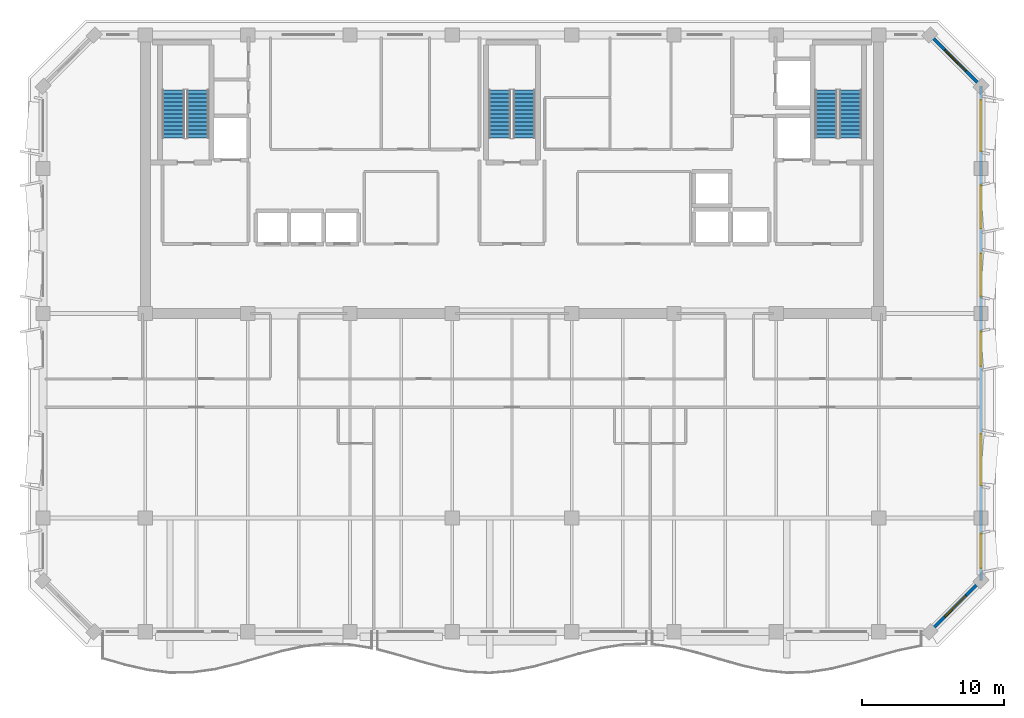
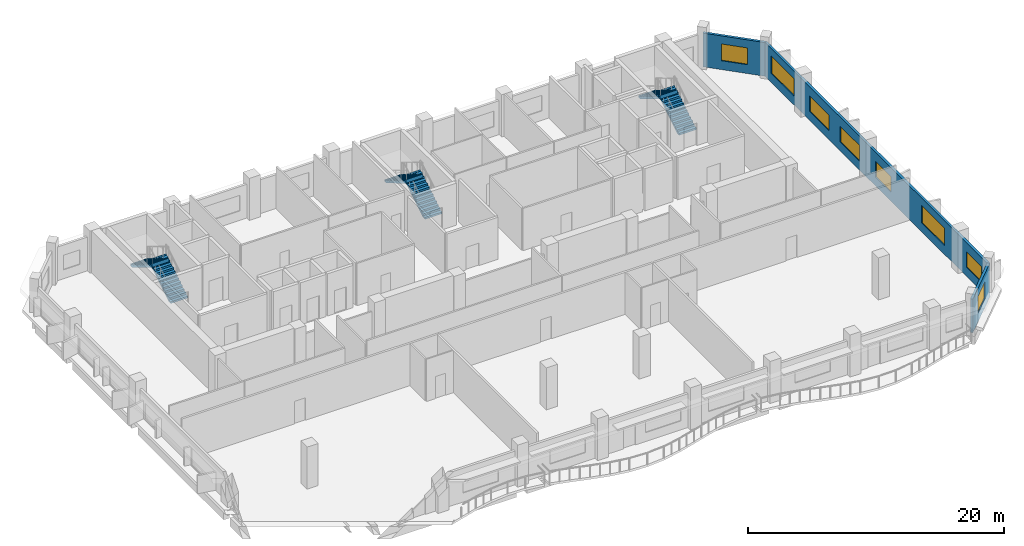
# One storey, part 7 of 10: 8 windows, 6 stair flights, 3 walls, 8 openings, 3 elements without a shape of their own.
"""IFC4 building model written with IfcOpenShell, lengths in metres."""

from ifc_helpers import new_model, si_unit, direction, frame, frame_2d, origin, place, context, subcontext, project, spatial, polyline, rectangle, outline, extrude, material, layer, layer_set, type_object, element, fill, aggregate, save


model = new_model("IFC4")

# Units and contexts
model_context = context("Model", 3, precision=1e-05, world=origin(), true_north=direction((0.0, 1.0)))
body_context = subcontext(model_context, "Body", "Model", "MODEL_VIEW")
ifc_project = project(units=[si_unit("LENGTHUNIT", "METRE"), si_unit("AREAUNIT", "SQUARE_METRE"), si_unit("VOLUMEUNIT", "CUBIC_METRE"), si_unit("PLANEANGLEUNIT", "RADIAN"), si_unit("MASSUNIT", "GRAM", prefix="KILO")], contexts=[model_context])

# Site, building, storey
site_placement = place(None, origin())
site = spatial("IfcSite", under=ifc_project, at=site_placement, CompositionType="ELEMENT")
building_placement = place(site_placement, origin())
building = spatial("IfcBuilding", under=site, at=building_placement, Name="Kaelvorn Grand Hotel", CompositionType="ELEMENT")
storey_placement = place(building_placement, frame((0.0, 0.0, 290.300048828125)))
storey = spatial("IfcBuildingStorey", under=building, at=storey_placement, Name="L71", CompositionType="ELEMENT", Elevation=290.300048828125)

# Wall, opening, window
ifc_material_1 = material(Name="Concrete C40/50", Category="concrete")
ifc_layer = layer(ifc_material_1, 0.219970703125)
ifc_layer_set = layer_set([ifc_layer], Name="Concrete C40/50")
wall_type = type_object("IfcWallType", Name="WL-EXT-220-C40", PredefinedType="SOLIDWALL", material=ifc_layer_set)
wall_1_placement = place(storey_placement, frame((71.39990234375, 7.0, 0.0), z_axis=(0.0, 0.0, 1.0), x_axis=(0.707106781187, 0.707106781187, 0.0)))
wall_1 = element("IfcWall", 1, at=wall_1_placement, inside=storey, type_object=wall_type, Name="L71 Exterior Architectural Concrete Wall 02", PredefinedType="SOLIDWALL", context=body_context, shape_type="SweptSolid", body=[
    extrude(rectangle(XDim=5.09130859375, YDim=0.219970703125, at=frame_2d((2.545654296875, 0.0))), origin(), (0.0, 0.0, 1.0), 3.219970703125),
])
opening_1_placement = place(wall_1_placement, frame((1.49560546875, 0.0, 0.85009765625)))
opening_1 = element("IfcOpeningElement", 2, at=opening_1_placement, cuts=wall_1, Name="Opening W7", PredefinedType="OPENING", context=body_context, shape_type="SweptSolid", body=[
    extrude(rectangle(XDim=2.10009765625, YDim=1.60009765625, at=frame_2d((1.050048828125, 0.800048828125))), frame((0.0, 0.1201171875, 0.0), z_axis=(0.0, -1.0, 0.0), x_axis=(1.0, 0.0, 0.0)), (0.0, 0.0, 1.0), 0.239990234375),
])
ifc_material_2 = material(Name="Laminated Low-E Glass", Category="glass")
window_type_1 = type_object("IfcWindowType", Name="WIN-CHM-2100x1600", PartitioningType="SINGLE_PANEL", PredefinedType="WINDOW", material=ifc_material_2)
window_1_placement = place(opening_1_placement, origin())
window_1 = element("IfcWindow", 3, at=window_1_placement, inside=storey, type_object=window_type_1, Name="L71 Chamfered 45-Degree Corner Window SE", OverallHeight=1.60009765625, OverallWidth=2.10009765625, PartitioningType="SINGLE_PANEL", PredefinedType="WINDOW", context=body_context, shape_type="SweptSolid", body=[
    extrude(rectangle(XDim=2.10009765625, YDim=1.60009765625, at=frame_2d((1.050048828125, 0.800048828125))), frame((0.0, 0.030029296875, 0.0), z_axis=(0.0, -1.0, 0.0), x_axis=(1.0, 0.0, 0.0)), (0.0, 0.0, 1.0), 0.06005859375),
])
fill(opening_1, window_1)

# Wall, openings, windows
wall_2_placement = place(storey_placement, frame((75.0, 10.60009765625, 0.0), z_axis=(0.0, 0.0, 1.0), x_axis=(0.0, 1.0, 0.0)))
wall_2 = element("IfcWall", 4, at=wall_2_placement, inside=storey, type_object=wall_type, Name="L71 Exterior Architectural Concrete Wall 03", PredefinedType="SOLIDWALL", context=body_context, shape_type="SweptSolid", body=[
    extrude(rectangle(XDim=34.7998046875, YDim=0.219970703125, at=frame_2d((17.39990234375, 0.0))), origin(), (0.0, 0.0, 1.0), 3.219970703125),
])
opening_2_placement = place(wall_2_placement, frame((0.885009765625, 0.0, 0.85009765625)))
opening_2 = element("IfcOpeningElement", 5, at=opening_2_placement, cuts=wall_2, Name="Opening W6", PredefinedType="OPENING", context=body_context, shape_type="SweptSolid", body=[
    extrude(rectangle(XDim=2.39990234375, YDim=1.5, at=frame_2d((1.199951171875, 0.75))), frame((0.0, 0.1201171875, 0.0), z_axis=(0.0, -1.0, 0.0), x_axis=(1.0, 0.0, 0.0)), (0.0, 0.0, 1.0), 0.239990234375),
])
opening_3_placement = place(wall_2_placement, frame((6.699951171875, 0.0, 0.85009765625)))
opening_3 = element("IfcOpeningElement", 6, at=opening_3_placement, cuts=wall_2, Name="Opening W3", PredefinedType="OPENING", context=body_context, shape_type="SweptSolid", body=[
    extrude(rectangle(XDim=3.60009765625, YDim=1.64990234375, at=frame_2d((1.800048828125, 0.824951171875))), frame((0.0, 0.1201171875, 0.0), z_axis=(0.0, -1.0, 0.0), x_axis=(1.0, 0.0, 0.0)), (0.0, 0.0, 1.0), 0.239990234375),
])
opening_4_placement = place(wall_2_placement, frame((15.10009765625, 0.0, 0.85009765625)))
opening_4 = element("IfcOpeningElement", 7, at=opening_4_placement, cuts=wall_2, Name="Opening W6", PredefinedType="OPENING", context=body_context, shape_type="SweptSolid", body=[
    extrude(rectangle(XDim=2.39990234375, YDim=1.5, at=frame_2d((1.199951171875, 0.75))), frame((0.0, 0.1201171875, 0.0), z_axis=(0.0, -1.0, 0.0), x_axis=(1.0, 0.0, 0.0)), (0.0, 0.0, 1.0), 0.239990234375),
])
opening_5_placement = place(wall_2_placement, frame((20.014892578125, 0.0, 0.85009765625)))
opening_5 = element("IfcOpeningElement", 8, at=opening_5_placement, cuts=wall_2, Name="Opening W5", PredefinedType="OPENING", context=body_context, shape_type="SweptSolid", body=[
    extrude(rectangle(XDim=3.0, YDim=1.5, at=frame_2d((1.5, 0.75))), frame((0.0, 0.1201171875, 0.0), z_axis=(0.0, -1.0, 0.0), x_axis=(1.0, 0.0, 0.0)), (0.0, 0.0, 1.0), 0.239990234375),
])
opening_6_placement = place(wall_2_placement, frame((24.784912109375, 0.0, 0.85009765625)))
opening_6 = element("IfcOpeningElement", 9, at=opening_6_placement, cuts=wall_2, Name="Opening W5", PredefinedType="OPENING", context=body_context, shape_type="SweptSolid", body=[
    extrude(rectangle(XDim=3.0, YDim=1.5, at=frame_2d((1.5, 0.75))), frame((0.0, 0.1201171875, 0.0), z_axis=(0.0, -1.0, 0.0), x_axis=(1.0, 0.0, 0.0)), (0.0, 0.0, 1.0), 0.239990234375),
])
opening_7_placement = place(wall_2_placement, frame((30.215087890625, 0.0, 0.85009765625)))
opening_7 = element("IfcOpeningElement", 10, at=opening_7_placement, cuts=wall_2, Name="Opening W3", PredefinedType="OPENING", context=body_context, shape_type="SweptSolid", body=[
    extrude(rectangle(XDim=3.60009765625, YDim=1.64990234375, at=frame_2d((1.800048828125, 0.824951171875))), frame((0.0, 0.1201171875, 0.0), z_axis=(0.0, -1.0, 0.0), x_axis=(1.0, 0.0, 0.0)), (0.0, 0.0, 1.0), 0.239990234375),
])
window_type_2 = type_object("IfcWindowType", Name="WIN-NTH-2400x1500", PartitioningType="SINGLE_PANEL", PredefinedType="WINDOW", material=ifc_material_2)
window_2_placement = place(opening_2_placement, origin())
window_2 = element("IfcWindow", 11, at=window_2_placement, inside=storey, type_object=window_type_2, Name="L71 E Wing Tilted-Frame Ribbon Window E01", OverallHeight=1.5, OverallWidth=2.39990234375, PartitioningType="SINGLE_PANEL", PredefinedType="WINDOW", context=body_context, shape_type="SweptSolid", body=[
    extrude(rectangle(XDim=2.39990234375, YDim=1.5, at=frame_2d((1.199951171875, 0.75))), frame((0.0, 0.030029296875, 0.0), z_axis=(0.0, -1.0, 0.0), x_axis=(1.0, 0.0, 0.0)), (0.0, 0.0, 1.0), 0.06005859375),
])
fill(opening_2, window_2)
window_3_placement = place(opening_4_placement, origin())
window_3 = element("IfcWindow", 12, at=window_3_placement, inside=storey, type_object=window_type_2, Name="L71 E Wing Tilted-Frame Ribbon Window E03", OverallHeight=1.5, OverallWidth=2.39990234375, PartitioningType="SINGLE_PANEL", PredefinedType="WINDOW", context=body_context, shape_type="SweptSolid", body=[
    extrude(rectangle(XDim=2.39990234375, YDim=1.5, at=frame_2d((1.199951171875, 0.75))), frame((0.0, 0.030029296875, 0.0), z_axis=(0.0, -1.0, 0.0), x_axis=(1.0, 0.0, 0.0)), (0.0, 0.0, 1.0), 0.06005859375),
])
fill(opening_4, window_3)
window_type_3 = type_object("IfcWindowType", Name="WIN-NTH-3000x1500", PartitioningType="SINGLE_PANEL", PredefinedType="WINDOW", material=ifc_material_2)
window_4_placement = place(opening_5_placement, origin())
window_4 = element("IfcWindow", 13, at=window_4_placement, inside=storey, type_object=window_type_3, Name="L71 E Wing Tilted-Frame Ribbon Window E04", OverallHeight=1.5, OverallWidth=3.0, PartitioningType="SINGLE_PANEL", PredefinedType="WINDOW", context=body_context, shape_type="SweptSolid", body=[
    extrude(rectangle(XDim=3.0, YDim=1.5, at=frame_2d((1.5, 0.75))), frame((0.0, 0.030029296875, 0.0), z_axis=(0.0, -1.0, 0.0), x_axis=(1.0, 0.0, 0.0)), (0.0, 0.0, 1.0), 0.06005859375),
])
fill(opening_5, window_4)
window_5_placement = place(opening_6_placement, origin())
window_5 = element("IfcWindow", 14, at=window_5_placement, inside=storey, type_object=window_type_3, Name="L71 E Wing Tilted-Frame Ribbon Window E05", OverallHeight=1.5, OverallWidth=3.0, PartitioningType="SINGLE_PANEL", PredefinedType="WINDOW", context=body_context, shape_type="SweptSolid", body=[
    extrude(rectangle(XDim=3.0, YDim=1.5, at=frame_2d((1.5, 0.75))), frame((0.0, 0.030029296875, 0.0), z_axis=(0.0, -1.0, 0.0), x_axis=(1.0, 0.0, 0.0)), (0.0, 0.0, 1.0), 0.06005859375),
])
fill(opening_6, window_5)
window_type_4 = type_object("IfcWindowType", Name="WIN-RIB-3600x1750", PartitioningType="SINGLE_PANEL", PredefinedType="WINDOW", material=ifc_material_2)
window_6_placement = place(opening_3_placement, origin())
window_6 = element("IfcWindow", 15, at=window_6_placement, inside=storey, type_object=window_type_4, Name="L71 E Wing Tilted-Frame Ribbon Window E02", OverallHeight=1.64990234375, OverallWidth=3.60009765625, PartitioningType="SINGLE_PANEL", PredefinedType="WINDOW", context=body_context, shape_type="SweptSolid", body=[
    extrude(rectangle(XDim=3.60009765625, YDim=1.64990234375, at=frame_2d((1.800048828125, 0.824951171875))), frame((0.0, 0.030029296875, 0.0), z_axis=(0.0, -1.0, 0.0), x_axis=(1.0, 0.0, 0.0)), (0.0, 0.0, 1.0), 0.06005859375),
])
fill(opening_3, window_6)
window_7_placement = place(opening_7_placement, origin())
window_7 = element("IfcWindow", 16, at=window_7_placement, inside=storey, type_object=window_type_4, Name="L71 E Wing Tilted-Frame Ribbon Window E06", OverallHeight=1.64990234375, OverallWidth=3.60009765625, PartitioningType="SINGLE_PANEL", PredefinedType="WINDOW", context=body_context, shape_type="SweptSolid", body=[
    extrude(rectangle(XDim=3.60009765625, YDim=1.64990234375, at=frame_2d((1.800048828125, 0.824951171875))), frame((0.0, 0.030029296875, 0.0), z_axis=(0.0, -1.0, 0.0), x_axis=(1.0, 0.0, 0.0)), (0.0, 0.0, 1.0), 0.06005859375),
])
fill(opening_7, window_7)

# Wall, opening, window
wall_3_placement = place(storey_placement, frame((75.0, 45.39990234375, 0.0), z_axis=(0.0, 0.0, 1.0), x_axis=(-0.707106781187, 0.707106781187, 0.0)))
wall_3 = element("IfcWall", 17, at=wall_3_placement, inside=storey, type_object=wall_type, Name="L71 Exterior Architectural Concrete Wall 04", PredefinedType="SOLIDWALL", context=body_context, shape_type="SweptSolid", body=[
    extrude(rectangle(XDim=5.09130859375, YDim=0.219970703125, at=frame_2d((2.545654296875, 0.0))), origin(), (0.0, 0.0, 1.0), 3.219970703125),
])
opening_8_placement = place(wall_3_placement, frame((1.49560546875, 0.0, 0.85009765625)))
opening_8 = element("IfcOpeningElement", 18, at=opening_8_placement, cuts=wall_3, Name="Opening W7", PredefinedType="OPENING", context=body_context, shape_type="SweptSolid", body=[
    extrude(rectangle(XDim=2.10009765625, YDim=1.60009765625, at=frame_2d((1.050048828125, 0.800048828125))), frame((0.0, 0.1201171875, 0.0), z_axis=(0.0, -1.0, 0.0), x_axis=(1.0, 0.0, 0.0)), (0.0, 0.0, 1.0), 0.239990234375),
])
window_8_placement = place(opening_8_placement, origin())
window_8 = element("IfcWindow", 19, at=window_8_placement, inside=storey, type_object=window_type_1, Name="L71 Chamfered 45-Degree Corner Window NE", OverallHeight=1.60009765625, OverallWidth=2.10009765625, PartitioningType="SINGLE_PANEL", PredefinedType="WINDOW", context=body_context, shape_type="SweptSolid", body=[
    extrude(rectangle(XDim=2.10009765625, YDim=1.60009765625, at=frame_2d((1.050048828125, 0.800048828125))), frame((0.0, 0.030029296875, 0.0), z_axis=(0.0, -1.0, 0.0), x_axis=(1.0, 0.0, 0.0)), (0.0, 0.0, 1.0), 0.06005859375),
])
fill(opening_8, window_8)

# Stair, stair flights
stair_type = type_object("IfcStairType", Name="STR-DOG-1560-R10", PredefinedType="HALF_TURN_STAIR", material=ifc_material_1)
stair_1_placement = place(storey_placement, origin())
stair_1 = element("IfcStair", 20, at=stair_1_placement, inside=storey, type_object=stair_type, Name="L71 West Core Exit Stair ST1", PredefinedType="HALF_TURN_STAIR")
stair_flight_type = type_object("IfcStairFlightType", Name="FLG-DOG-1560-R10", PredefinedType="STRAIGHT", material=ifc_material_1)
stair_flight_1_placement = place(storey_placement, frame((19.89990234375, 41.760009765625, 0.0), z_axis=(0.0, 0.0, 1.0), x_axis=(0.0, 1.0, 0.0)))
stair_flight_1 = element("IfcStairFlight", 21, at=stair_flight_1_placement, type_object=stair_flight_type, Name="ST1 flight 1", NumberOfRisers=13, NumberOfTreads=12, PredefinedType="STRAIGHT", RiserHeight=0.169230769, TreadLength=0.28, context=body_context, shape_type="SweptSolid", body=[
    extrude(outline(polyline([(-0.0048828125, 0.0), (-0.0048828125, 0.0400390625), (0.0, 0.169189453125), (0.280029296875, 0.169189453125), (0.280029296875, 0.33837890625), (0.56005859375, 0.33837890625), (0.56005859375, 0.5078125), (0.840087890625, 0.5078125), (0.840087890625, 0.677001953125), (1.1201171875, 0.677001953125), (1.1201171875, 0.84619140625), (1.39990234375, 0.84619140625), (1.39990234375, 1.015380859375), (1.679931640625, 1.015380859375), (1.679931640625, 1.1845703125), (1.9599609375, 1.1845703125), (1.9599609375, 1.353759765625), (2.239990234375, 1.353759765625), (2.239990234375, 1.523193359375), (2.52001953125, 1.523193359375), (2.52001953125, 1.6923828125), (2.800048828125, 1.6923828125), (2.800048828125, 1.861572265625), (3.080078125, 1.861572265625), (3.080078125, 2.03076171875), (3.360107421875, 2.03076171875), (3.360107421875, 2.199951171875), (3.364990234375, 2.199951171875), (3.364990234375, 1.855712890625), (0.289794921875, 0.0), (-0.0048828125, 0.0)])), frame((0.0, 0.780029296875, 0.0), z_axis=(0.0, -1.0, 0.0), x_axis=(1.0, 0.0, 0.0)), (0.0, 0.0, 1.0), 1.56005859375),
])
stair_flight_2_placement = place(storey_placement, frame((18.179931640625, 45.1201171875, 2.199951171875), z_axis=(0.0, 0.0, 1.0), x_axis=(0.0, -1.0, 0.0)))
stair_flight_2 = element("IfcStairFlight", 22, at=stair_flight_2_placement, type_object=stair_flight_type, Name="ST1 flight 2", NumberOfRisers=13, NumberOfTreads=12, PredefinedType="STRAIGHT", RiserHeight=0.169230769, TreadLength=0.28, context=body_context, shape_type="SweptSolid", body=[
    extrude(outline(polyline([(-0.0048828125, 0.0), (-0.0048828125, 0.0400390625), (0.0, 0.169189453125), (0.280029296875, 0.169189453125), (0.280029296875, 0.33837890625), (0.56005859375, 0.33837890625), (0.56005859375, 0.5078125), (0.840087890625, 0.5078125), (0.840087890625, 0.677001953125), (1.1201171875, 0.677001953125), (1.1201171875, 0.84619140625), (1.39990234375, 0.84619140625), (1.39990234375, 1.015380859375), (1.679931640625, 1.015380859375), (1.679931640625, 1.1845703125), (1.9599609375, 1.1845703125), (1.9599609375, 1.353759765625), (2.239990234375, 1.353759765625), (2.239990234375, 1.523193359375), (2.52001953125, 1.523193359375), (2.52001953125, 1.6923828125), (2.800048828125, 1.6923828125), (2.800048828125, 1.861572265625), (3.080078125, 1.861572265625), (3.080078125, 2.03076171875), (3.360107421875, 2.03076171875), (3.360107421875, 2.199951171875), (3.364990234375, 2.199951171875), (3.364990234375, 1.855712890625), (0.289794921875, 0.0), (-0.0048828125, 0.0)])), frame((0.0, 0.780029296875, 0.0), z_axis=(0.0, -1.0, 0.0), x_axis=(1.0, 0.0, 0.0)), (0.0, 0.0, 1.0), 1.56005859375),
])
aggregate(stair_1, [stair_flight_1, stair_flight_2])

stair_2_placement = place(storey_placement, origin())
stair_2 = element("IfcStair", 23, at=stair_2_placement, inside=storey, type_object=stair_type, Name="L71 Central Core Exit Stair ST2", PredefinedType="HALF_TURN_STAIR")
stair_flight_3_placement = place(storey_placement, frame((42.860107421875, 41.760009765625, 0.0), z_axis=(0.0, 0.0, 1.0), x_axis=(0.0, 1.0, 0.0)))
stair_flight_3 = element("IfcStairFlight", 24, at=stair_flight_3_placement, type_object=stair_flight_type, Name="ST2 flight 1", NumberOfRisers=13, NumberOfTreads=12, PredefinedType="STRAIGHT", RiserHeight=0.169230769, TreadLength=0.28, context=body_context, shape_type="SweptSolid", body=[
    extrude(outline(polyline([(-0.0048828125, 0.0), (-0.0048828125, 0.0400390625), (0.0, 0.169189453125), (0.280029296875, 0.169189453125), (0.280029296875, 0.33837890625), (0.56005859375, 0.33837890625), (0.56005859375, 0.5078125), (0.840087890625, 0.5078125), (0.840087890625, 0.677001953125), (1.1201171875, 0.677001953125), (1.1201171875, 0.84619140625), (1.39990234375, 0.84619140625), (1.39990234375, 1.015380859375), (1.679931640625, 1.015380859375), (1.679931640625, 1.1845703125), (1.9599609375, 1.1845703125), (1.9599609375, 1.353759765625), (2.239990234375, 1.353759765625), (2.239990234375, 1.523193359375), (2.52001953125, 1.523193359375), (2.52001953125, 1.6923828125), (2.800048828125, 1.6923828125), (2.800048828125, 1.861572265625), (3.080078125, 1.861572265625), (3.080078125, 2.03076171875), (3.360107421875, 2.03076171875), (3.360107421875, 2.199951171875), (3.364990234375, 2.199951171875), (3.364990234375, 1.855712890625), (0.289794921875, 0.0), (-0.0048828125, 0.0)])), frame((0.0, 0.780029296875, 0.0), z_axis=(0.0, -1.0, 0.0), x_axis=(1.0, 0.0, 0.0)), (0.0, 0.0, 1.0), 1.56005859375),
])
stair_flight_4_placement = place(storey_placement, frame((41.139892578125, 45.1201171875, 2.199951171875), z_axis=(0.0, 0.0, 1.0), x_axis=(0.0, -1.0, 0.0)))
stair_flight_4 = element("IfcStairFlight", 25, at=stair_flight_4_placement, type_object=stair_flight_type, Name="ST2 flight 2", NumberOfRisers=13, NumberOfTreads=12, PredefinedType="STRAIGHT", RiserHeight=0.169230769, TreadLength=0.28, context=body_context, shape_type="SweptSolid", body=[
    extrude(outline(polyline([(-0.0048828125, 0.0), (-0.0048828125, 0.0400390625), (0.0, 0.169189453125), (0.280029296875, 0.169189453125), (0.280029296875, 0.33837890625), (0.56005859375, 0.33837890625), (0.56005859375, 0.5078125), (0.840087890625, 0.5078125), (0.840087890625, 0.677001953125), (1.1201171875, 0.677001953125), (1.1201171875, 0.84619140625), (1.39990234375, 0.84619140625), (1.39990234375, 1.015380859375), (1.679931640625, 1.015380859375), (1.679931640625, 1.1845703125), (1.9599609375, 1.1845703125), (1.9599609375, 1.353759765625), (2.239990234375, 1.353759765625), (2.239990234375, 1.523193359375), (2.52001953125, 1.523193359375), (2.52001953125, 1.6923828125), (2.800048828125, 1.6923828125), (2.800048828125, 1.861572265625), (3.080078125, 1.861572265625), (3.080078125, 2.03076171875), (3.360107421875, 2.03076171875), (3.360107421875, 2.199951171875), (3.364990234375, 2.199951171875), (3.364990234375, 1.855712890625), (0.289794921875, 0.0), (-0.0048828125, 0.0)])), frame((0.0, 0.780029296875, 0.0), z_axis=(0.0, -1.0, 0.0), x_axis=(1.0, 0.0, 0.0)), (0.0, 0.0, 1.0), 1.56005859375),
])
aggregate(stair_2, [stair_flight_3, stair_flight_4])

stair_3_placement = place(storey_placement, origin())
stair_3 = element("IfcStair", 26, at=stair_3_placement, inside=storey, type_object=stair_type, Name="L71 East Core Exit Stair ST3", PredefinedType="HALF_TURN_STAIR")
stair_flight_5_placement = place(storey_placement, frame((65.820068359375, 41.760009765625, 0.0), z_axis=(0.0, 0.0, 1.0), x_axis=(0.0, 1.0, 0.0)))
stair_flight_5 = element("IfcStairFlight", 27, at=stair_flight_5_placement, type_object=stair_flight_type, Name="ST3 flight 1", NumberOfRisers=13, NumberOfTreads=12, PredefinedType="STRAIGHT", RiserHeight=0.169230769, TreadLength=0.28, context=body_context, shape_type="SweptSolid", body=[
    extrude(outline(polyline([(-0.0048828125, 0.0), (-0.0048828125, 0.0400390625), (0.0, 0.169189453125), (0.280029296875, 0.169189453125), (0.280029296875, 0.33837890625), (0.56005859375, 0.33837890625), (0.56005859375, 0.5078125), (0.840087890625, 0.5078125), (0.840087890625, 0.677001953125), (1.1201171875, 0.677001953125), (1.1201171875, 0.84619140625), (1.39990234375, 0.84619140625), (1.39990234375, 1.015380859375), (1.679931640625, 1.015380859375), (1.679931640625, 1.1845703125), (1.9599609375, 1.1845703125), (1.9599609375, 1.353759765625), (2.239990234375, 1.353759765625), (2.239990234375, 1.523193359375), (2.52001953125, 1.523193359375), (2.52001953125, 1.6923828125), (2.800048828125, 1.6923828125), (2.800048828125, 1.861572265625), (3.080078125, 1.861572265625), (3.080078125, 2.03076171875), (3.360107421875, 2.03076171875), (3.360107421875, 2.199951171875), (3.364990234375, 2.199951171875), (3.364990234375, 1.855712890625), (0.289794921875, 0.0), (-0.0048828125, 0.0)])), frame((0.0, 0.780029296875, 0.0), z_axis=(0.0, -1.0, 0.0), x_axis=(1.0, 0.0, 0.0)), (0.0, 0.0, 1.0), 1.56005859375),
])
stair_flight_6_placement = place(storey_placement, frame((64.10009765625, 45.1201171875, 2.199951171875), z_axis=(0.0, 0.0, 1.0), x_axis=(0.0, -1.0, 0.0)))
stair_flight_6 = element("IfcStairFlight", 28, at=stair_flight_6_placement, type_object=stair_flight_type, Name="ST3 flight 2", NumberOfRisers=13, NumberOfTreads=12, PredefinedType="STRAIGHT", RiserHeight=0.169230769, TreadLength=0.28, context=body_context, shape_type="SweptSolid", body=[
    extrude(outline(polyline([(-0.0048828125, 0.0), (-0.0048828125, 0.0400390625), (0.0, 0.169189453125), (0.280029296875, 0.169189453125), (0.280029296875, 0.33837890625), (0.56005859375, 0.33837890625), (0.56005859375, 0.5078125), (0.840087890625, 0.5078125), (0.840087890625, 0.677001953125), (1.1201171875, 0.677001953125), (1.1201171875, 0.84619140625), (1.39990234375, 0.84619140625), (1.39990234375, 1.015380859375), (1.679931640625, 1.015380859375), (1.679931640625, 1.1845703125), (1.9599609375, 1.1845703125), (1.9599609375, 1.353759765625), (2.239990234375, 1.353759765625), (2.239990234375, 1.523193359375), (2.52001953125, 1.523193359375), (2.52001953125, 1.6923828125), (2.800048828125, 1.6923828125), (2.800048828125, 1.861572265625), (3.080078125, 1.861572265625), (3.080078125, 2.03076171875), (3.360107421875, 2.03076171875), (3.360107421875, 2.199951171875), (3.364990234375, 2.199951171875), (3.364990234375, 1.855712890625), (0.289794921875, 0.0), (-0.0048828125, 0.0)])), frame((0.0, 0.780029296875, 0.0), z_axis=(0.0, -1.0, 0.0), x_axis=(1.0, 0.0, 0.0)), (0.0, 0.0, 1.0), 1.56005859375),
])
aggregate(stair_3, [stair_flight_5, stair_flight_6])

save(model, "model.ifc")
